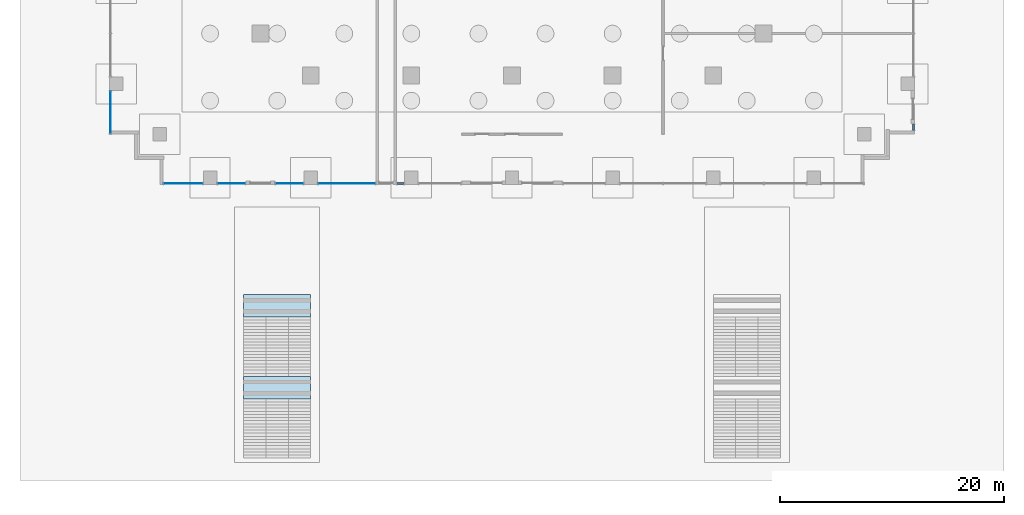
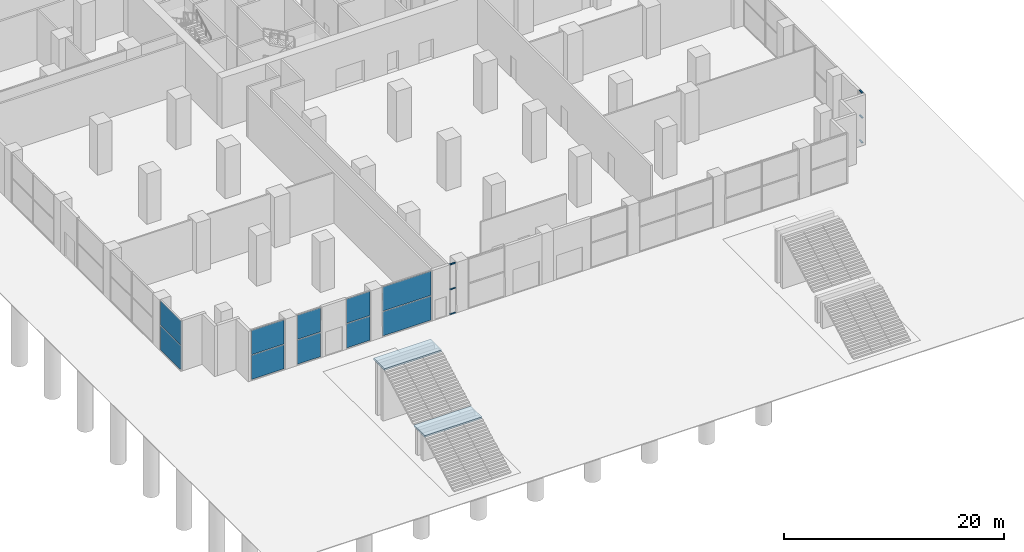
# One storey, part 9 of 20: 10 plates, 6 members, 2 slabs, 8 elements without a shape of their own.
"""IFC4 building model written with IfcOpenShell, lengths in metres."""

from ifc_helpers import new_model, si_unit, direction, frame, origin, origin_2d, place, context, subcontext, project, spatial, polyline, rectangle, outline, extrude, material, layer, layer_set, material_profile, profile_set, type_object, element, aggregate, save


model = new_model("IFC4")

# Units and contexts
model_context = context("Model", 3, precision=1e-05, world=origin(), true_north=direction((0.0, 1.0)))
body_context = subcontext(model_context, "Body", "Model", "MODEL_VIEW")
ifc_project = project(units=[si_unit("LENGTHUNIT", "METRE"), si_unit("AREAUNIT", "SQUARE_METRE"), si_unit("VOLUMEUNIT", "CUBIC_METRE"), si_unit("PLANEANGLEUNIT", "RADIAN"), si_unit("MASSUNIT", "GRAM", prefix="KILO")], contexts=[model_context])

# Site, building, storey
site_placement = place(None, origin())
site = spatial("IfcSite", under=ifc_project, at=site_placement, CompositionType="ELEMENT")
building_placement = place(site_placement, origin())
building = spatial("IfcBuilding", under=site, at=building_placement, Name="Orbiselva Terraces", CompositionType="ELEMENT")
storey_placement = place(building_placement, origin())
storey = spatial("IfcBuildingStorey", under=building, at=storey_placement, Name="L00", CompositionType="ELEMENT", Elevation=0.0)

# Curtain wall, members
ifc_material_1 = material(Name="Clear low-e glazing in aluminium frame", Category="aluminium")
curtain_wall_type = type_object("IfcCurtainWallType", Name="ENV-CW-LOBBY", PredefinedType="NOTDEFINED", material=ifc_material_1)
curtain_wall_1_placement = place(storey_placement, origin())
curtain_wall_1 = element("IfcCurtainWall", 1, at=curtain_wall_1_placement, inside=storey, type_object=curtain_wall_type, Name="Curtain wall L00 S", PredefinedType="NOTDEFINED")
ifc_material_2 = material(Name="Anodised aluminium", Category="aluminium")
ifc_material_profile = material_profile(ifc_material_2, rectangle(XDim=0.16, YDim=0.075, at=origin_2d()), Name="AL 75x160")
ifc_profile_set = profile_set([ifc_material_profile], Name="Anodised aluminium")
member_type = type_object("IfcMemberType", Name="ENV-CW-LOBBY-TRANSOM-75x160", PredefinedType="USERDEFINED", material=ifc_profile_set)
member_1_placement = place(storey_placement, frame((-10.275, -31.4, 0.0375), z_axis=(1.0, 0.0, 0.0), x_axis=(0.0, 1.0, 0.0)))
member_1 = element("IfcMember", 2, at=member_1_placement, type_object=member_type, Name="CW1 transom 1.1", ObjectType="TRANSOM", PredefinedType="USERDEFINED", context=body_context, shape_type="SweptSolid", body=[
    extrude(rectangle(XDim=0.16, YDim=0.075, at=origin_2d()), origin(), (0.0, 0.0, 1.0), 0.6),
])
member_2_placement = place(storey_placement, frame((-10.275, -31.4, 2.8), z_axis=(1.0, 0.0, 0.0), x_axis=(0.0, 1.0, 0.0)))
member_2 = element("IfcMember", 3, at=member_2_placement, type_object=member_type, Name="CW1 transom 1.2", ObjectType="TRANSOM", PredefinedType="USERDEFINED", context=body_context, shape_type="SweptSolid", body=[
    extrude(rectangle(XDim=0.16, YDim=0.075, at=origin_2d()), origin(), (0.0, 0.0, 1.0), 0.6),
])
member_3_placement = place(storey_placement, frame((-10.275, -31.4, 5.5625), z_axis=(1.0, 0.0, 0.0), x_axis=(0.0, 1.0, 0.0)))
member_3 = element("IfcMember", 4, at=member_3_placement, type_object=member_type, Name="CW1 transom 1.3", ObjectType="TRANSOM", PredefinedType="USERDEFINED", context=body_context, shape_type="SweptSolid", body=[
    extrude(rectangle(XDim=0.16, YDim=0.075, at=origin_2d()), origin(), (0.0, 0.0, 1.0), 0.6),
])
aggregate(curtain_wall_1, [member_1, member_2, member_3])

curtain_wall_2_placement = place(storey_placement, origin())
curtain_wall_2 = element("IfcCurtainWall", 5, at=curtain_wall_2_placement, inside=storey, type_object=curtain_wall_type, Name="Curtain wall L00 E", PredefinedType="NOTDEFINED")
member_4_placement = place(storey_placement, frame((35.9, -26.625, 0.0375), z_axis=(0.0, 1.0, 0.0), x_axis=(-1.0, 0.0, 0.0)))
member_4 = element("IfcMember", 6, at=member_4_placement, type_object=member_type, Name="CW1 transom 1.1", ObjectType="TRANSOM", PredefinedType="USERDEFINED", context=body_context, shape_type="SweptSolid", body=[
    extrude(rectangle(XDim=0.16, YDim=0.075, at=origin_2d()), origin(), (0.0, 0.0, 1.0), 0.5),
])
member_5_placement = place(storey_placement, frame((35.9, -26.625, 2.8), z_axis=(0.0, 1.0, 0.0), x_axis=(-1.0, 0.0, 0.0)))
member_5 = element("IfcMember", 7, at=member_5_placement, type_object=member_type, Name="CW1 transom 1.2", ObjectType="TRANSOM", PredefinedType="USERDEFINED", context=body_context, shape_type="SweptSolid", body=[
    extrude(rectangle(XDim=0.16, YDim=0.075, at=origin_2d()), origin(), (0.0, 0.0, 1.0), 0.5),
])
member_6_placement = place(storey_placement, frame((35.9, -26.625, 5.5625), z_axis=(0.0, 1.0, 0.0), x_axis=(-1.0, 0.0, 0.0)))
member_6 = element("IfcMember", 8, at=member_6_placement, type_object=member_type, Name="CW1 transom 1.3", ObjectType="TRANSOM", PredefinedType="USERDEFINED", context=body_context, shape_type="SweptSolid", body=[
    extrude(rectangle(XDim=0.16, YDim=0.075, at=origin_2d()), origin(), (0.0, 0.0, 1.0), 0.5),
])
aggregate(curtain_wall_2, [member_4, member_5, member_6])

# Stair, slabs
ifc_material_3 = material(Name="Concrete C40/50", Category="concrete")
stair_type = type_object("IfcStairType", Name="ENV-BROAD-STAIR", PredefinedType="STRAIGHT_RUN_STAIR", material=ifc_material_3)
stair_placement = place(storey_placement, origin())
stair = element("IfcStair", 9, at=stair_placement, inside=storey, type_object=stair_type, Name="Broad stair 1 lower", PredefinedType="STRAIGHT_RUN_STAIR")
ifc_layer_1 = layer(ifc_material_3, 0.2)
ifc_layer_set_1 = layer_set([ifc_layer_1], Name="Concrete C40/50")
slab_type = type_object("IfcSlabType", Name="ENV-BROAD-STAIR-LANDING-200", PredefinedType="LANDING", material=ifc_layer_set_1)
slab_1_placement = place(storey_placement, frame((0.0, 0.0, 2.8)))
slab_1 = element("IfcSlab", 10, at=slab_1_placement, type_object=slab_type, Name="BR1 landing 1", PredefinedType="LANDING", context=body_context, shape_type="SweptSolid", body=[
    extrude(outline(polyline([(-24.0, -50.66), (-18.0, -50.66), (-18.0, -48.66), (-24.0, -48.66), (-24.0, -50.66)])), origin(), (0.0, 0.0, 1.0), 0.2),
])
slab_2_placement = place(storey_placement, frame((0.0, 0.0, 5.8)))
slab_2 = element("IfcSlab", 11, at=slab_2_placement, type_object=slab_type, Name="BR1 landing 2", PredefinedType="LANDING", context=body_context, shape_type="SweptSolid", body=[
    extrude(outline(polyline([(-24.0, -43.34), (-18.0, -43.34), (-18.0, -41.34), (-24.0, -41.34), (-24.0, -43.34)])), origin(), (0.0, 0.0, 1.0), 0.2),
])
aggregate(stair, [slab_1, slab_2])

# Curtain wall, plates
curtain_wall_3_placement = place(storey_placement, origin())
curtain_wall_3 = element("IfcCurtainWall", 12, at=curtain_wall_3_placement, inside=storey, type_object=curtain_wall_type, Name="Curtain wall L00 S", PredefinedType="NOTDEFINED")
ifc_material_4 = material(Name="Clear low-e glass", Category="glass")
ifc_layer_2 = layer(ifc_material_4, 0.028)
ifc_layer_set_2 = layer_set([ifc_layer_2], Name="Clear low-e glass")
plate_type = type_object("IfcPlateType", Name="ENV-CW-LOBBY-PANEL-28", PredefinedType="CURTAIN_PANEL", material=ifc_layer_set_2)
plate_1_placement = place(storey_placement, frame((-29.4, -31.4, 0.075), z_axis=(0.0, 0.0, 1.0), x_axis=(1.0, 0.0, 0.0)))
plate_1 = element("IfcPlate", 13, at=plate_1_placement, type_object=plate_type, Name="CW1 panel 1.1", PredefinedType="CURTAIN_PANEL", context=body_context, shape_type="SweptSolid", body=[
    extrude(rectangle(XDim=3.45, YDim=0.028, at=origin_2d()), origin(), (0.0, 0.0, 1.0), 2.6875),
])
plate_2_placement = place(storey_placement, frame((-29.4, -31.4, 2.8375), z_axis=(0.0, 0.0, 1.0), x_axis=(1.0, 0.0, 0.0)))
plate_2 = element("IfcPlate", 14, at=plate_2_placement, type_object=plate_type, Name="CW1 panel 1.2", PredefinedType="CURTAIN_PANEL", context=body_context, shape_type="SweptSolid", body=[
    extrude(rectangle(XDim=3.45, YDim=0.028, at=origin_2d()), origin(), (0.0, 0.0, 1.0), 2.6875),
])
aggregate(curtain_wall_3, [plate_1, plate_2])

curtain_wall_4_placement = place(storey_placement, origin())
curtain_wall_4 = element("IfcCurtainWall", 15, at=curtain_wall_4_placement, inside=storey, type_object=curtain_wall_type, Name="Curtain wall L00 S", PredefinedType="NOTDEFINED")
plate_3_placement = place(storey_placement, frame((-25.1, -31.4, 0.075), z_axis=(0.0, 0.0, 1.0), x_axis=(1.0, 0.0, 0.0)))
plate_3 = element("IfcPlate", 16, at=plate_3_placement, type_object=plate_type, Name="CW1 panel 1.1", PredefinedType="CURTAIN_PANEL", context=body_context, shape_type="SweptSolid", body=[
    extrude(rectangle(XDim=2.45, YDim=0.028, at=origin_2d()), origin(), (0.0, 0.0, 1.0), 2.6875),
])
plate_4_placement = place(storey_placement, frame((-25.1, -31.4, 2.8375), z_axis=(0.0, 0.0, 1.0), x_axis=(1.0, 0.0, 0.0)))
plate_4 = element("IfcPlate", 17, at=plate_4_placement, type_object=plate_type, Name="CW1 panel 1.2", PredefinedType="CURTAIN_PANEL", context=body_context, shape_type="SweptSolid", body=[
    extrude(rectangle(XDim=2.45, YDim=0.028, at=origin_2d()), origin(), (0.0, 0.0, 1.0), 2.6875),
])
aggregate(curtain_wall_4, [plate_3, plate_4])

curtain_wall_5_placement = place(storey_placement, origin())
curtain_wall_5 = element("IfcCurtainWall", 18, at=curtain_wall_5_placement, inside=storey, type_object=curtain_wall_type, Name="Curtain wall L00 S", PredefinedType="NOTDEFINED")
plate_5_placement = place(storey_placement, frame((-19.9, -31.4, 0.075), z_axis=(0.0, 0.0, 1.0), x_axis=(1.0, 0.0, 0.0)))
plate_5 = element("IfcPlate", 19, at=plate_5_placement, type_object=plate_type, Name="CW1 panel 1.1", PredefinedType="CURTAIN_PANEL", context=body_context, shape_type="SweptSolid", body=[
    extrude(rectangle(XDim=2.45, YDim=0.028, at=origin_2d()), origin(), (0.0, 0.0, 1.0), 2.6875),
])
plate_6_placement = place(storey_placement, frame((-19.9, -31.4, 2.8375), z_axis=(0.0, 0.0, 1.0), x_axis=(1.0, 0.0, 0.0)))
plate_6 = element("IfcPlate", 20, at=plate_6_placement, type_object=plate_type, Name="CW1 panel 1.2", PredefinedType="CURTAIN_PANEL", context=body_context, shape_type="SweptSolid", body=[
    extrude(rectangle(XDim=2.45, YDim=0.028, at=origin_2d()), origin(), (0.0, 0.0, 1.0), 2.6875),
])
aggregate(curtain_wall_5, [plate_5, plate_6])

curtain_wall_6_placement = place(storey_placement, origin())
curtain_wall_6 = element("IfcCurtainWall", 21, at=curtain_wall_6_placement, inside=storey, type_object=curtain_wall_type, Name="Curtain wall L00 S", PredefinedType="NOTDEFINED")
plate_7_placement = place(storey_placement, frame((-14.775, -31.4, 0.075), z_axis=(0.0, 0.0, 1.0), x_axis=(1.0, 0.0, 0.0)))
plate_7 = element("IfcPlate", 22, at=plate_7_placement, type_object=plate_type, Name="CW1 panel 1.1", PredefinedType="CURTAIN_PANEL", context=body_context, shape_type="SweptSolid", body=[
    extrude(rectangle(XDim=5.1, YDim=0.028, at=origin_2d()), origin(), (0.0, 0.0, 1.0), 2.6875),
])
plate_8_placement = place(storey_placement, frame((-14.775, -31.4, 2.8375), z_axis=(0.0, 0.0, 1.0), x_axis=(1.0, 0.0, 0.0)))
plate_8 = element("IfcPlate", 23, at=plate_8_placement, type_object=plate_type, Name="CW1 panel 1.2", PredefinedType="CURTAIN_PANEL", context=body_context, shape_type="SweptSolid", body=[
    extrude(rectangle(XDim=5.1, YDim=0.028, at=origin_2d()), origin(), (0.0, 0.0, 1.0), 2.6875),
])
aggregate(curtain_wall_6, [plate_7, plate_8])

curtain_wall_7_placement = place(storey_placement, origin())
curtain_wall_7 = element("IfcCurtainWall", 24, at=curtain_wall_7_placement, inside=storey, type_object=curtain_wall_type, Name="Curtain wall L00 W", PredefinedType="NOTDEFINED")
plate_9_placement = place(storey_placement, frame((-35.9, -25.05, 0.075), z_axis=(0.0, 0.0, 1.0), x_axis=(0.0, -1.0, 0.0)))
plate_9 = element("IfcPlate", 25, at=plate_9_placement, type_object=plate_type, Name="CW1 panel 1.1", PredefinedType="CURTAIN_PANEL", context=body_context, shape_type="SweptSolid", body=[
    extrude(rectangle(XDim=3.75, YDim=0.028, at=origin_2d()), origin(), (0.0, 0.0, 1.0), 2.6875),
])
plate_10_placement = place(storey_placement, frame((-35.9, -25.05, 2.8375), z_axis=(0.0, 0.0, 1.0), x_axis=(0.0, -1.0, 0.0)))
plate_10 = element("IfcPlate", 26, at=plate_10_placement, type_object=plate_type, Name="CW1 panel 1.2", PredefinedType="CURTAIN_PANEL", context=body_context, shape_type="SweptSolid", body=[
    extrude(rectangle(XDim=3.75, YDim=0.028, at=origin_2d()), origin(), (0.0, 0.0, 1.0), 2.6875),
])
aggregate(curtain_wall_7, [plate_9, plate_10])

save(model, "model.ifc")
